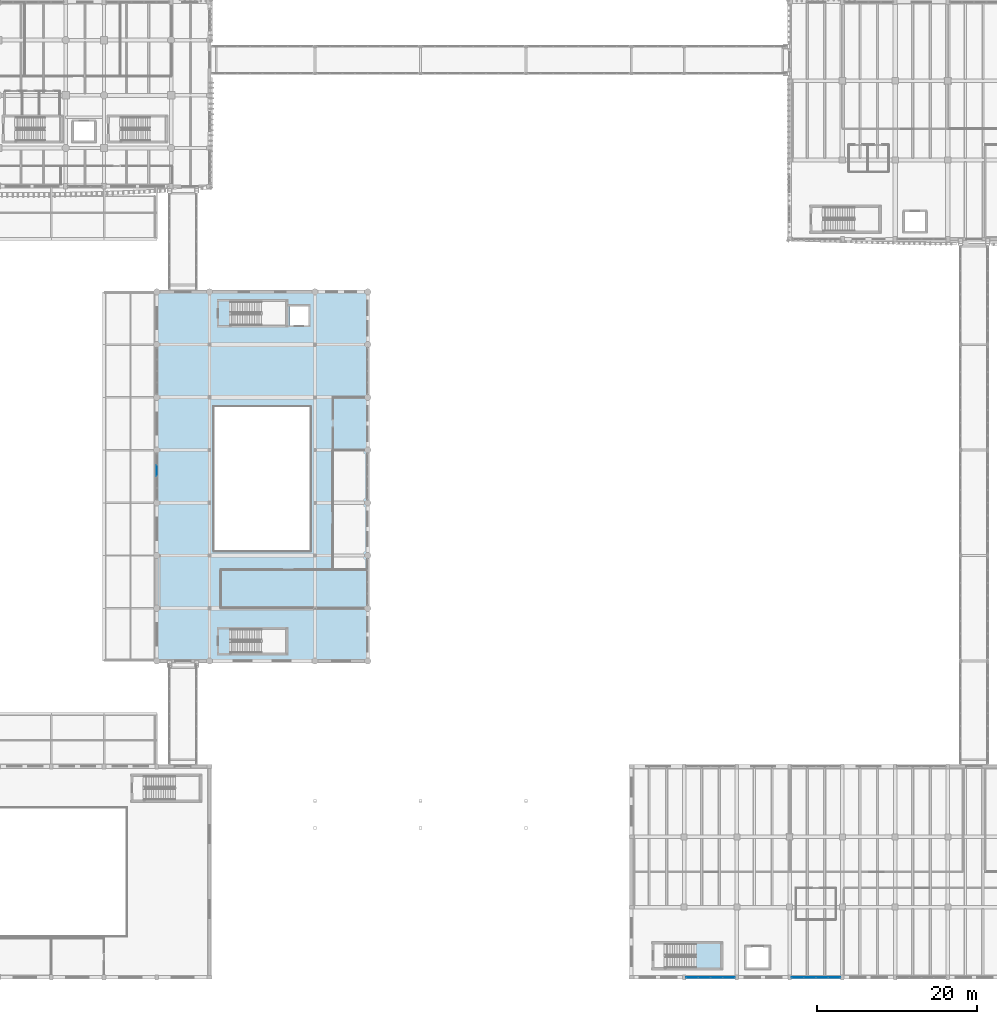
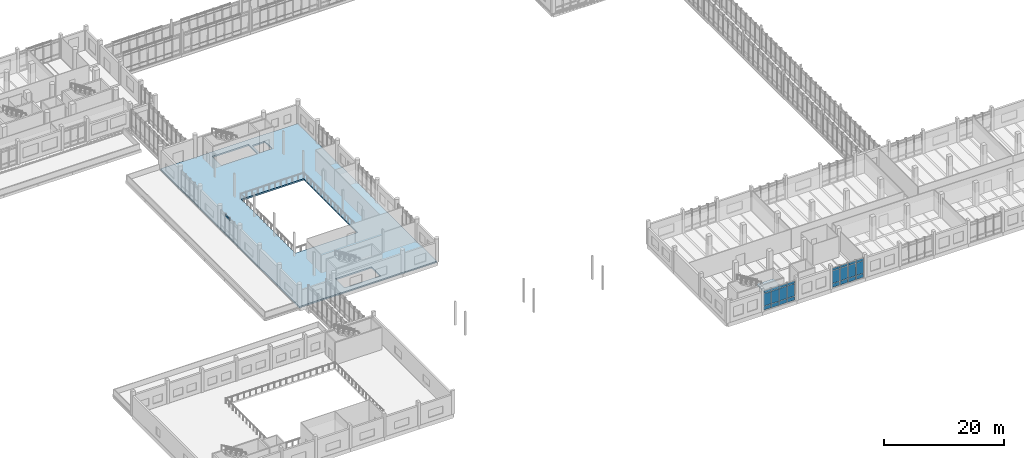
# One storey, part 64 of 125: 25 plates, 2 slabs, 4 elements without a shape of their own.
"""IFC4 building model written with IfcOpenShell, lengths in metres."""

from ifc_helpers import new_model, si_unit, direction, frame, origin, origin_2d, place, context, subcontext, project, spatial, polyline, rectangle, outline, extrude, material, layer, layer_set, type_object, element, aggregate, save


model = new_model("IFC4")

# Units and contexts
model_context = context("Model", 3, precision=1e-05, world=origin(), true_north=direction((0.0, 1.0)))
body_context = subcontext(model_context, "Body", "Model", "MODEL_VIEW")
ifc_project = project(units=[si_unit("LENGTHUNIT", "METRE"), si_unit("AREAUNIT", "SQUARE_METRE"), si_unit("VOLUMEUNIT", "CUBIC_METRE"), si_unit("PLANEANGLEUNIT", "RADIAN"), si_unit("MASSUNIT", "GRAM", prefix="KILO")], contexts=[model_context])

# Site, building, storey
site_placement = place(None, origin())
site = spatial("IfcSite", under=ifc_project, at=site_placement, CompositionType="ELEMENT")
building_placement = place(site_placement, origin())
building = spatial("IfcBuilding", under=site, at=building_placement, Name="Dornvale Research Institute", CompositionType="ELEMENT")
storey_placement = place(building_placement, frame((0.0, 0.0, 5.39990234375)))
storey = spatial("IfcBuildingStorey", under=building, at=storey_placement, Name="L01", CompositionType="ELEMENT", Elevation=5.39990234375)

# Curtain wall, plates
ifc_material_1 = material(Name="Low-E Argon Double Insulating Glazing Unit", Category="glass")
curtain_wall_type_1 = type_object("IfcCurtainWallType", Name="UnitisedCurtainWall_V3_6150x4000", PredefinedType="USERDEFINED", material=ifc_material_1)
curtain_wall_1_placement = place(storey_placement, origin())
curtain_wall_1 = element("IfcCurtainWall", 1, at=curtain_wall_1_placement, inside=storey, type_object=curtain_wall_type_1, Name="L01 V3 unitised curtain wall CW-06 #40", ObjectType="UNITISED CURTAIN WALL", PredefinedType="USERDEFINED")
ifc_material_2 = material(Name="Insulated Ceramic-Frit Spandrel Glass Panel", Category="glass")
ifc_layer_1 = layer(ifc_material_2, 0.0419921875)
ifc_layer_set_1 = layer_set([ifc_layer_1], Name="Insulated Ceramic-Frit Spandrel Glass Panel")
plate_type_1 = type_object("IfcPlateType", Name="CurtainPanel_Spandrel_42", PredefinedType="CURTAIN_PANEL", material=ifc_layer_set_1)
plate_1_placement = place(storey_placement, frame((124.389892578125, 0.0, 0.065185546875), z_axis=(0.0, 0.0, 1.0), x_axis=(-1.0, 0.0, 0.0)))
plate_1 = element("IfcPlate", 2, at=plate_1_placement, type_object=plate_type_1, Name="CW-06 panel 1.1", PredefinedType="CURTAIN_PANEL", context=body_context, shape_type="SweptSolid", body=[
    extrude(rectangle(XDim=1.43994140625, YDim=0.0419921875, at=origin_2d()), origin(), (0.0, 0.0, 1.0), 0.75244140625),
])
plate_2_placement = place(storey_placement, frame((122.86865234375, 0.0, 0.065185546875), z_axis=(0.0, 0.0, 1.0), x_axis=(-1.0, 0.0, 0.0)))
plate_2 = element("IfcPlate", 3, at=plate_2_placement, type_object=plate_type_1, Name="CW-06 panel 2.1", PredefinedType="CURTAIN_PANEL", context=body_context, shape_type="SweptSolid", body=[
    extrude(rectangle(XDim=1.472412109375, YDim=0.0419921875, at=origin_2d()), origin(), (0.0, 0.0, 1.0), 0.75244140625),
])
plate_3_placement = place(storey_placement, frame((121.331298828125, 0.0, 0.065185546875), z_axis=(0.0, 0.0, 1.0), x_axis=(-1.0, 0.0, 0.0)))
plate_3 = element("IfcPlate", 4, at=plate_3_placement, type_object=plate_type_1, Name="CW-06 panel 3.1", PredefinedType="CURTAIN_PANEL", context=body_context, shape_type="SweptSolid", body=[
    extrude(rectangle(XDim=1.472412109375, YDim=0.0419921875, at=origin_2d()), origin(), (0.0, 0.0, 1.0), 0.75244140625),
])
plate_4_placement = place(storey_placement, frame((119.81005859375, 0.0, 0.065185546875), z_axis=(0.0, 0.0, 1.0), x_axis=(-1.0, 0.0, 0.0)))
plate_4 = element("IfcPlate", 5, at=plate_4_placement, type_object=plate_type_1, Name="CW-06 panel 4.1", PredefinedType="CURTAIN_PANEL", context=body_context, shape_type="SweptSolid", body=[
    extrude(rectangle(XDim=1.43994140625, YDim=0.0419921875, at=origin_2d()), origin(), (0.0, 0.0, 1.0), 0.75244140625),
])

curtain_wall_2_placement = place(storey_placement, origin())
curtain_wall_2 = element("IfcCurtainWall", 6, at=curtain_wall_2_placement, inside=storey, type_object=curtain_wall_type_1, Name="L01 V3 unitised curtain wall CW-06 #41", ObjectType="UNITISED CURTAIN WALL", PredefinedType="USERDEFINED")
plate_5_placement = place(storey_placement, frame((111.18994140625, 0.0, 0.065185546875), z_axis=(0.0, 0.0, 1.0), x_axis=(-1.0, 0.0, 0.0)))
plate_5 = element("IfcPlate", 7, at=plate_5_placement, type_object=plate_type_1, Name="CW-06 panel 1.1", PredefinedType="CURTAIN_PANEL", context=body_context, shape_type="SweptSolid", body=[
    extrude(rectangle(XDim=1.43994140625, YDim=0.0419921875, at=origin_2d()), origin(), (0.0, 0.0, 1.0), 0.75244140625),
])
plate_6_placement = place(storey_placement, frame((109.668701171875, 0.0, 0.065185546875), z_axis=(0.0, 0.0, 1.0), x_axis=(-1.0, 0.0, 0.0)))
plate_6 = element("IfcPlate", 8, at=plate_6_placement, type_object=plate_type_1, Name="CW-06 panel 2.1", PredefinedType="CURTAIN_PANEL", context=body_context, shape_type="SweptSolid", body=[
    extrude(rectangle(XDim=1.472412109375, YDim=0.0419921875, at=origin_2d()), origin(), (0.0, 0.0, 1.0), 0.75244140625),
])
plate_7_placement = place(storey_placement, frame((108.13134765625, 0.0, 0.065185546875), z_axis=(0.0, 0.0, 1.0), x_axis=(-1.0, 0.0, 0.0)))
plate_7 = element("IfcPlate", 9, at=plate_7_placement, type_object=plate_type_1, Name="CW-06 panel 3.1", PredefinedType="CURTAIN_PANEL", context=body_context, shape_type="SweptSolid", body=[
    extrude(rectangle(XDim=1.472412109375, YDim=0.0419921875, at=origin_2d()), origin(), (0.0, 0.0, 1.0), 0.75244140625),
])
plate_8_placement = place(storey_placement, frame((106.610107421875, 0.0, 0.065185546875), z_axis=(0.0, 0.0, 1.0), x_axis=(-1.0, 0.0, 0.0)))
plate_8 = element("IfcPlate", 10, at=plate_8_placement, type_object=plate_type_1, Name="CW-06 panel 4.1", PredefinedType="CURTAIN_PANEL", context=body_context, shape_type="SweptSolid", body=[
    extrude(rectangle(XDim=1.43994140625, YDim=0.0419921875, at=origin_2d()), origin(), (0.0, 0.0, 1.0), 0.75244140625),
])

# Curtain wall, plate
ifc_material_3 = material(Name="Low-E Argon Double Insulating Glazing Unit", Category="glass")
curtain_wall_type_2 = type_object("IfcCurtainWallType", Name="UnitisedCurtainWall_V2_5810x3950", PredefinedType="USERDEFINED", material=ifc_material_3)
curtain_wall_3_placement = place(storey_placement, origin())
curtain_wall_3 = element("IfcCurtainWall", 11, at=curtain_wall_3_placement, inside=storey, type_object=curtain_wall_type_2, Name="L01 V2 unitised curtain wall CW-02 #5", ObjectType="UNITISED CURTAIN WALL", PredefinedType="USERDEFINED")
ifc_material_4 = material(Name="Low-E Argon Double Insulating Glazing Unit", Category="glass")
ifc_layer_2 = layer(ifc_material_4, 0.028076171875)
ifc_layer_set_2 = layer_set([ifc_layer_2], Name="Low-E Argon Double Insulating Glazing Unit")
plate_type_2 = type_object("IfcPlateType", Name="CurtainPanel_Vision_28", PredefinedType="CURTAIN_PANEL", material=ifc_layer_set_2)
plate_9_placement = place(storey_placement, frame((39.60009765625, 63.42626953125, 3.4326171875), z_axis=(0.0, 0.0, 1.0), x_axis=(0.0, 1.0, 0.0)))
plate_9 = element("IfcPlate", 12, at=plate_9_placement, type_object=plate_type_2, Name="CW-02 panel 3.3", PredefinedType="CURTAIN_PANEL", context=body_context, shape_type="SweptSolid", body=[
    extrude(rectangle(XDim=1.387451171875, YDim=0.028076171875, at=origin_2d()), origin(), (0.0, 0.0, 1.0), 0.452392578125),
])
aggregate(curtain_wall_3, [plate_9])

# Plate
plate_10_placement = place(storey_placement, frame((124.389892578125, 0.0, 0.8828125), z_axis=(0.0, 0.0, 1.0), x_axis=(-1.0, 0.0, 0.0)))
plate_10 = element("IfcPlate", 13, at=plate_10_placement, type_object=plate_type_2, Name="CW-06 panel 1.2", PredefinedType="CURTAIN_PANEL", context=body_context, shape_type="SweptSolid", body=[
    extrude(rectangle(XDim=1.43994140625, YDim=0.028076171875, at=origin_2d()), origin(), (0.0, 0.0, 1.0), 2.534912109375),
])

plate_11_placement = place(storey_placement, frame((124.389892578125, 0.0, 3.482421875), z_axis=(0.0, 0.0, 1.0), x_axis=(-1.0, 0.0, 0.0)))
plate_11 = element("IfcPlate", 14, at=plate_11_placement, type_object=plate_type_2, Name="CW-06 panel 1.3", PredefinedType="CURTAIN_PANEL", context=body_context, shape_type="SweptSolid", body=[
    extrude(rectangle(XDim=1.43994140625, YDim=0.028076171875, at=origin_2d()), origin(), (0.0, 0.0, 1.0), 0.452392578125),
])

plate_12_placement = place(storey_placement, frame((122.86865234375, 0.0, 0.8828125), z_axis=(0.0, 0.0, 1.0), x_axis=(-1.0, 0.0, 0.0)))
plate_12 = element("IfcPlate", 15, at=plate_12_placement, type_object=plate_type_2, Name="CW-06 panel 2.2", PredefinedType="CURTAIN_PANEL", context=body_context, shape_type="SweptSolid", body=[
    extrude(rectangle(XDim=1.472412109375, YDim=0.028076171875, at=origin_2d()), origin(), (0.0, 0.0, 1.0), 2.534912109375),
])

plate_13_placement = place(storey_placement, frame((122.86865234375, 0.0, 3.482421875), z_axis=(0.0, 0.0, 1.0), x_axis=(-1.0, 0.0, 0.0)))
plate_13 = element("IfcPlate", 16, at=plate_13_placement, type_object=plate_type_2, Name="CW-06 panel 2.3", PredefinedType="CURTAIN_PANEL", context=body_context, shape_type="SweptSolid", body=[
    extrude(rectangle(XDim=1.472412109375, YDim=0.028076171875, at=origin_2d()), origin(), (0.0, 0.0, 1.0), 0.452392578125),
])

plate_14_placement = place(storey_placement, frame((121.331298828125, 0.0, 0.8828125), z_axis=(0.0, 0.0, 1.0), x_axis=(-1.0, 0.0, 0.0)))
plate_14 = element("IfcPlate", 17, at=plate_14_placement, type_object=plate_type_2, Name="CW-06 panel 3.2", PredefinedType="CURTAIN_PANEL", context=body_context, shape_type="SweptSolid", body=[
    extrude(rectangle(XDim=1.472412109375, YDim=0.028076171875, at=origin_2d()), origin(), (0.0, 0.0, 1.0), 2.534912109375),
])

plate_15_placement = place(storey_placement, frame((121.331298828125, 0.0, 3.482421875), z_axis=(0.0, 0.0, 1.0), x_axis=(-1.0, 0.0, 0.0)))
plate_15 = element("IfcPlate", 18, at=plate_15_placement, type_object=plate_type_2, Name="CW-06 panel 3.3", PredefinedType="CURTAIN_PANEL", context=body_context, shape_type="SweptSolid", body=[
    extrude(rectangle(XDim=1.472412109375, YDim=0.028076171875, at=origin_2d()), origin(), (0.0, 0.0, 1.0), 0.452392578125),
])

plate_16_placement = place(storey_placement, frame((119.81005859375, 0.0, 0.8828125), z_axis=(0.0, 0.0, 1.0), x_axis=(-1.0, 0.0, 0.0)))
plate_16 = element("IfcPlate", 19, at=plate_16_placement, type_object=plate_type_2, Name="CW-06 panel 4.2", PredefinedType="CURTAIN_PANEL", context=body_context, shape_type="SweptSolid", body=[
    extrude(rectangle(XDim=1.43994140625, YDim=0.028076171875, at=origin_2d()), origin(), (0.0, 0.0, 1.0), 2.534912109375),
])

plate_17_placement = place(storey_placement, frame((119.81005859375, 0.0, 3.482421875), z_axis=(0.0, 0.0, 1.0), x_axis=(-1.0, 0.0, 0.0)))
plate_17 = element("IfcPlate", 20, at=plate_17_placement, type_object=plate_type_2, Name="CW-06 panel 4.3", PredefinedType="CURTAIN_PANEL", context=body_context, shape_type="SweptSolid", body=[
    extrude(rectangle(XDim=1.43994140625, YDim=0.028076171875, at=origin_2d()), origin(), (0.0, 0.0, 1.0), 0.452392578125),
])

aggregate(curtain_wall_1, [plate_1, plate_10, plate_11, plate_2, plate_12, plate_13, plate_3, plate_14, plate_15, plate_4, plate_16, plate_17])

plate_18_placement = place(storey_placement, frame((111.18994140625, 0.0, 0.8828125), z_axis=(0.0, 0.0, 1.0), x_axis=(-1.0, 0.0, 0.0)))
plate_18 = element("IfcPlate", 21, at=plate_18_placement, type_object=plate_type_2, Name="CW-06 panel 1.2", PredefinedType="CURTAIN_PANEL", context=body_context, shape_type="SweptSolid", body=[
    extrude(rectangle(XDim=1.43994140625, YDim=0.028076171875, at=origin_2d()), origin(), (0.0, 0.0, 1.0), 2.534912109375),
])

plate_19_placement = place(storey_placement, frame((111.18994140625, 0.0, 3.482421875), z_axis=(0.0, 0.0, 1.0), x_axis=(-1.0, 0.0, 0.0)))
plate_19 = element("IfcPlate", 22, at=plate_19_placement, type_object=plate_type_2, Name="CW-06 panel 1.3", PredefinedType="CURTAIN_PANEL", context=body_context, shape_type="SweptSolid", body=[
    extrude(rectangle(XDim=1.43994140625, YDim=0.028076171875, at=origin_2d()), origin(), (0.0, 0.0, 1.0), 0.452392578125),
])

plate_20_placement = place(storey_placement, frame((109.668701171875, 0.0, 0.8828125), z_axis=(0.0, 0.0, 1.0), x_axis=(-1.0, 0.0, 0.0)))
plate_20 = element("IfcPlate", 23, at=plate_20_placement, type_object=plate_type_2, Name="CW-06 panel 2.2", PredefinedType="CURTAIN_PANEL", context=body_context, shape_type="SweptSolid", body=[
    extrude(rectangle(XDim=1.472412109375, YDim=0.028076171875, at=origin_2d()), origin(), (0.0, 0.0, 1.0), 2.534912109375),
])

plate_21_placement = place(storey_placement, frame((109.668701171875, 0.0, 3.482421875), z_axis=(0.0, 0.0, 1.0), x_axis=(-1.0, 0.0, 0.0)))
plate_21 = element("IfcPlate", 24, at=plate_21_placement, type_object=plate_type_2, Name="CW-06 panel 2.3", PredefinedType="CURTAIN_PANEL", context=body_context, shape_type="SweptSolid", body=[
    extrude(rectangle(XDim=1.472412109375, YDim=0.028076171875, at=origin_2d()), origin(), (0.0, 0.0, 1.0), 0.452392578125),
])

plate_22_placement = place(storey_placement, frame((108.13134765625, 0.0, 0.8828125), z_axis=(0.0, 0.0, 1.0), x_axis=(-1.0, 0.0, 0.0)))
plate_22 = element("IfcPlate", 25, at=plate_22_placement, type_object=plate_type_2, Name="CW-06 panel 3.2", PredefinedType="CURTAIN_PANEL", context=body_context, shape_type="SweptSolid", body=[
    extrude(rectangle(XDim=1.472412109375, YDim=0.028076171875, at=origin_2d()), origin(), (0.0, 0.0, 1.0), 2.534912109375),
])

plate_23_placement = place(storey_placement, frame((108.13134765625, 0.0, 3.482421875), z_axis=(0.0, 0.0, 1.0), x_axis=(-1.0, 0.0, 0.0)))
plate_23 = element("IfcPlate", 26, at=plate_23_placement, type_object=plate_type_2, Name="CW-06 panel 3.3", PredefinedType="CURTAIN_PANEL", context=body_context, shape_type="SweptSolid", body=[
    extrude(rectangle(XDim=1.472412109375, YDim=0.028076171875, at=origin_2d()), origin(), (0.0, 0.0, 1.0), 0.452392578125),
])

plate_24_placement = place(storey_placement, frame((106.610107421875, 0.0, 0.8828125), z_axis=(0.0, 0.0, 1.0), x_axis=(-1.0, 0.0, 0.0)))
plate_24 = element("IfcPlate", 27, at=plate_24_placement, type_object=plate_type_2, Name="CW-06 panel 4.2", PredefinedType="CURTAIN_PANEL", context=body_context, shape_type="SweptSolid", body=[
    extrude(rectangle(XDim=1.43994140625, YDim=0.028076171875, at=origin_2d()), origin(), (0.0, 0.0, 1.0), 2.534912109375),
])

plate_25_placement = place(storey_placement, frame((106.610107421875, 0.0, 3.482421875), z_axis=(0.0, 0.0, 1.0), x_axis=(-1.0, 0.0, 0.0)))
plate_25 = element("IfcPlate", 28, at=plate_25_placement, type_object=plate_type_2, Name="CW-06 panel 4.3", PredefinedType="CURTAIN_PANEL", context=body_context, shape_type="SweptSolid", body=[
    extrude(rectangle(XDim=1.43994140625, YDim=0.028076171875, at=origin_2d()), origin(), (0.0, 0.0, 1.0), 0.452392578125),
])

aggregate(curtain_wall_2, [plate_5, plate_18, plate_19, plate_6, plate_20, plate_21, plate_7, plate_22, plate_23, plate_8, plate_24, plate_25])

# Slab
ifc_material_5 = material(Name="Concrete f'c 45 MPa (C35/45)", Category="concrete")
ifc_layer_3 = layer(ifc_material_5, 0.300048828125)
ifc_layer_set_3 = layer_set([ifc_layer_3], Name="Concrete f'c 45 MPa (C35/45)")
slab_type_1 = type_object("IfcSlabType", Name="FloorSlab_DryLab_300", PredefinedType="FLOOR", material=ifc_layer_set_3)
slab_1_placement = place(storey_placement, frame((0.0, 0.0, -0.2998046875)))
element("IfcSlab", 29, at=slab_1_placement, inside=storey, type_object=slab_type_1, Name="L01 V2 structural slab", PredefinedType="FLOOR", context=body_context, shape_type="SweptSolid", body=[
    extrude(outline(polyline([(39.60009765625, 39.60009765625), (66.0, 39.60009765625), (66.0, 85.800048828125), (39.60009765625, 85.800048828125), (39.60009765625, 39.60009765625)]), holes=[polyline([(48.820068359375, 40.60009765625), (55.800048828125, 40.60009765625), (55.800048828125, 43.60009765625), (48.820068359375, 43.60009765625), (48.820068359375, 40.60009765625)]), polyline([(48.820068359375, 81.60009765625), (55.800048828125, 81.60009765625), (55.800048828125, 84.60009765625), (48.820068359375, 84.60009765625), (48.820068359375, 81.60009765625)]), polyline([(56.199951171875, 81.60009765625), (58.60009765625, 81.60009765625), (58.60009765625, 84.0), (56.199951171875, 84.0), (56.199951171875, 81.60009765625)]), polyline([(46.800048828125, 53.39990234375), (58.800048828125, 53.39990234375), (58.800048828125, 71.39990234375), (46.800048828125, 71.39990234375), (46.800048828125, 53.39990234375)])]), origin(), (0.0, 0.0, 1.0), 0.2998046875),
])

# Stair, slab
ifc_material_6 = material(Name="Concrete f'c 45 MPa (C35/45)", Category="concrete")
stair_type = type_object("IfcStairType", Name="HalfTurnStair_RC", PredefinedType="HALF_TURN_STAIR", material=ifc_material_6)
stair_placement = place(storey_placement, origin())
stair = element("IfcStair", 30, at=stair_placement, inside=storey, type_object=stair_type, Name="L01 Exit stair ST-5", PredefinedType="HALF_TURN_STAIR")
ifc_material_7 = material(Name="Concrete f'c 45 MPa (C35/45)", Category="concrete")
ifc_layer_4 = layer(ifc_material_7, 0.199951171875)
ifc_layer_set_4 = layer_set([ifc_layer_4], Name="Concrete f'c 45 MPa (C35/45)")
slab_type_2 = type_object("IfcSlabType", Name="Landing_Stair_200", PredefinedType="LANDING", material=ifc_layer_set_4)
slab_2_placement = place(storey_placement, frame((0.0, 0.0, 2.2001953125)))
slab_2 = element("IfcSlab", 31, at=slab_2_placement, type_object=slab_type_2, Name="ST-5 landing 1", PredefinedType="LANDING", context=body_context, shape_type="SweptSolid", body=[
    extrude(outline(polyline([(107.090087890625, 1.169921875), (107.090087890625, 4.22998046875), (110.22998046875, 4.22998046875), (110.22998046875, 1.169921875), (107.090087890625, 1.169921875)])), origin(), (0.0, 0.0, 1.0), 0.199951171875),
])
aggregate(stair, [slab_2])

save(model, "model.ifc")
